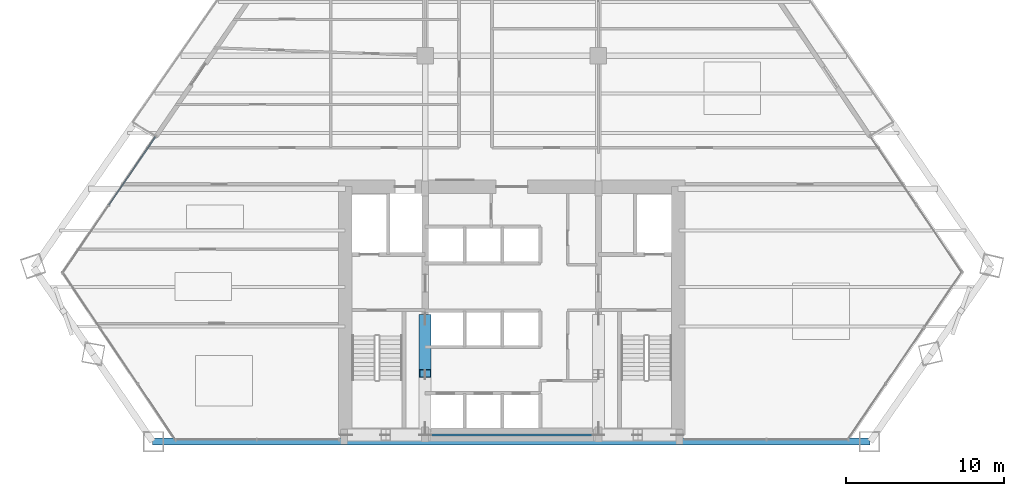
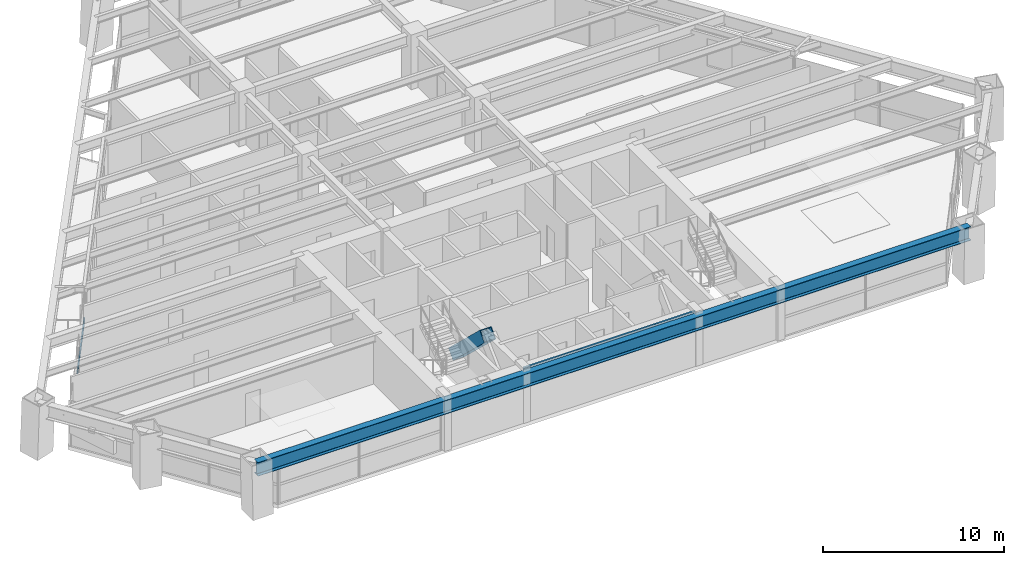
# One storey, part 3 of 14: 2 beams, 2 members, 1 element without a shape of its own.
"""IFC4 building model written with IfcOpenShell, lengths in metres."""

from ifc_helpers import new_model, si_unit, direction, frame, origin, origin_2d, place, context, subcontext, project, spatial, rectangle, hollow_rectangle, i_section, extrude, source, transform, mapped, material, material_profile, profile_set, type_object, type_shapes, element, aggregate, save


model = new_model("IFC4")

# Units and contexts
model_context = context("Model", 3, precision=1e-05, world=origin(), true_north=direction((0.0, 1.0)))
body_context = subcontext(model_context, "Body", "Model", "MODEL_VIEW")
ifc_project = project(units=[si_unit("LENGTHUNIT", "METRE"), si_unit("AREAUNIT", "SQUARE_METRE"), si_unit("VOLUMEUNIT", "CUBIC_METRE"), si_unit("PLANEANGLEUNIT", "RADIAN"), si_unit("MASSUNIT", "GRAM", prefix="KILO")], contexts=[model_context])

# Site, building, storey
site_placement = place(None, origin())
site = spatial("IfcSite", under=ifc_project, at=site_placement, CompositionType="ELEMENT")
building_placement = place(site_placement, origin())
building = spatial("IfcBuilding", under=site, at=building_placement, Name="Varnakhor Terracotta Tower", CompositionType="ELEMENT")
storey_placement = place(building_placement, frame((0.0, 0.0, 42.300048828125)))
storey = spatial("IfcBuildingStorey", under=building, at=storey_placement, Name="L09", CompositionType="ELEMENT", Elevation=42.300048828125)

# Beam
ifc_material_1 = material(Name="Steel S355", Category="steel")
ifc_material_profile_1 = material_profile(ifc_material_1, i_section(OverallWidth=0.1201171875, OverallDepth=0.239990234375, WebThickness=0.006103515625, FlangeThickness=0.009765625, FilletRadius=0.01806640625, at=origin_2d()), Name="IPE240")
ifc_profile_set_1 = profile_set([ifc_material_profile_1], Name="Steel S355")
beam_type_1 = type_object("IfcBeamType", Name="LNT-IPE240", PredefinedType="LINTEL", material=ifc_profile_set_1)
shared_shape_1 = source(origin(), body_context, "Body", "SweptSolid", [
    extrude(i_section(OverallWidth=0.1201171875, OverallDepth=0.239990234375, WebThickness=0.006103515625, FlangeThickness=0.009765625, FilletRadius=0.01806640625, at=origin_2d()), origin(), (0.0, 0.0, 1.0), 11.0),
])
type_shapes(beam_type_1, [shared_shape_1])
beam_1_placement = place(storey_placement, frame((-5.5, 0.419921875, 3.329833984375), z_axis=(1.0, 0.0, 0.0), x_axis=(0.0, 1.0, 0.0)))
element("IfcBeam", 1, at=beam_1_placement, inside=storey, type_object=beam_type_1, Name="L09 Core South Coupling Lintel", PredefinedType="LINTEL", context=body_context, shape_type="MappedRepresentation", body=[
    mapped(shared_shape_1, transform((0.0, 0.0, 0.0), scale=1.0)),
])

# Member
ifc_material_2 = material(Name="Steel S460", Category="steel")
ifc_material_profile_2 = material_profile(ifc_material_2, hollow_rectangle(XDim=0.75, YDim=0.75, WallThickness=0.044921875, at=origin_2d()), Name="HSS750X750X45")
ifc_profile_set_2 = profile_set([ifc_material_profile_2], Name="Steel S460")
member_type_1 = type_object("IfcMemberType", Name="MBR-MEGA-750", PredefinedType="BRACE", material=ifc_profile_set_2)
shared_shape_2 = source(origin(), body_context, "Body", "SweptSolid", [
    extrude(hollow_rectangle(XDim=0.75, YDim=0.75, WallThickness=0.044921875, at=origin_2d()), origin(), (0.0, 0.0, 1.0), 4.792236328125),
])
member_1_placement = place(storey_placement, frame((-5.5, 7.800048828125, 0.0), z_axis=(0.0, -0.72513424341, 0.688607529028), x_axis=(1.0, 0.0, 0.0)))
element("IfcMember", 2, at=member_1_placement, inside=storey, type_object=member_type_1, Name="L09 Core Coupled Brace CWWB", PredefinedType="BRACE", context=body_context, shape_type="MappedRepresentation", body=[
    mapped(shared_shape_2, transform((0.0, 0.0, 0.0), scale=1.0)),
])

# Beam
ifc_material_profile_3 = material_profile(ifc_material_1, i_section(OverallWidth=0.41796875, OverallDepth=0.927001953125, WebThickness=0.01904296875, FlangeThickness=0.031982421875, FilletRadius=0.01806640625, at=origin_2d()), Name="W36X231")
ifc_profile_set_3 = profile_set([ifc_material_profile_3], Name="Steel S355")
beam_type_2 = type_object("IfcBeamType", Name="BM-W36X231", PredefinedType="BEAM", material=ifc_profile_set_3)
shared_shape_3 = source(origin(), body_context, "Body", "SweptSolid", [
    extrude(i_section(OverallWidth=0.41796875, OverallDepth=0.927001953125, WebThickness=0.01904296875, FlangeThickness=0.031982421875, FilletRadius=0.01806640625, at=origin_2d()), origin(), (0.0, 0.0, 1.0), 45.550048828125),
])
beam_2_placement = place(storey_placement, frame((-22.79931640625, 0.0, 2.986572265625), z_axis=(1.0, 0.0, 0.0), x_axis=(0.0, 1.0, 0.0)))
element("IfcBeam", 3, at=beam_2_placement, inside=storey, type_object=beam_type_2, Name="L09 Perimeter Spandrel 1", PredefinedType="BEAM", context=body_context, shape_type="MappedRepresentation", body=[
    mapped(shared_shape_3, transform((0.0, 0.0, 0.0), scale=1.0)),
])

# Curtain wall, member
ifc_material_3 = material(Name="Anodised Aluminium Curtain Wall System", Category="aluminium")
curtain_wall_type = type_object("IfcCurtainWallType", Name="CW-SYS-LOW-OFFICE", PredefinedType="NOTDEFINED", material=ifc_material_3)
curtain_wall_placement = place(storey_placement, origin())
curtain_wall = element("IfcCurtainWall", 4, at=curtain_wall_placement, inside=storey, type_object=curtain_wall_type, Name="L09 W Facet Curtain Wall 1", PredefinedType="NOTDEFINED")
ifc_material_4 = material(Name="Anodised Aluminium 6063-T6", Category="aluminium")
ifc_material_profile_4 = material_profile(ifc_material_4, rectangle(XDim=0.074951171875, YDim=0.1650390625, at=origin_2d()), Name="ALU TRANSOM 75x165")
ifc_profile_set_4 = profile_set([ifc_material_profile_4], Name="Anodised Aluminium 6063-T6")
member_type_2 = type_object("IfcMemberType", Name="CWT-02", PredefinedType="USERDEFINED", material=ifc_profile_set_4)
shared_shape_4 = source(origin(), body_context, "Body", "SweptSolid", [
    extrude(rectangle(XDim=0.074951171875, YDim=0.1650390625, at=origin_2d()), origin(), (0.0, 0.0, 1.0), 5.24365234375),
])
member_2_placement = place(storey_placement, frame((-25.5732421875, 15.015380859375, 1.2724609375), z_axis=(0.563180785263, 0.826333711711, 0.0), x_axis=(-0.826333711711, 0.563180785263, 0.0)))
member_2 = element("IfcMember", 5, at=member_2_placement, type_object=member_type_2, Name="L09 W Facet Curtain Wall 1 Transom 2", ObjectType="TRANSOM", PredefinedType="USERDEFINED", context=body_context, shape_type="MappedRepresentation", body=[
    mapped(shared_shape_4, transform((0.0, 0.0, 0.0), scale=1.0)),
])
aggregate(curtain_wall, [member_2])

save(model, "model.ifc")
